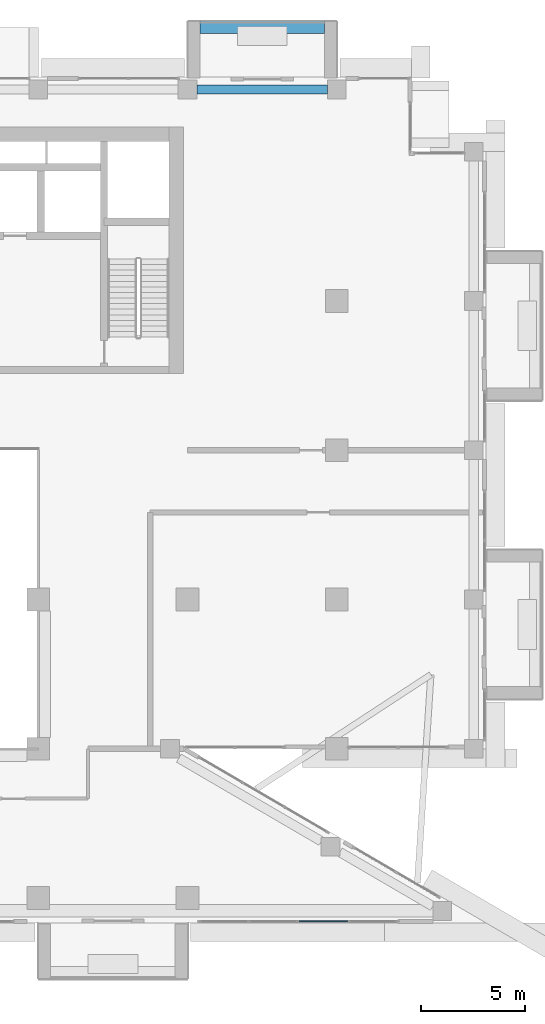
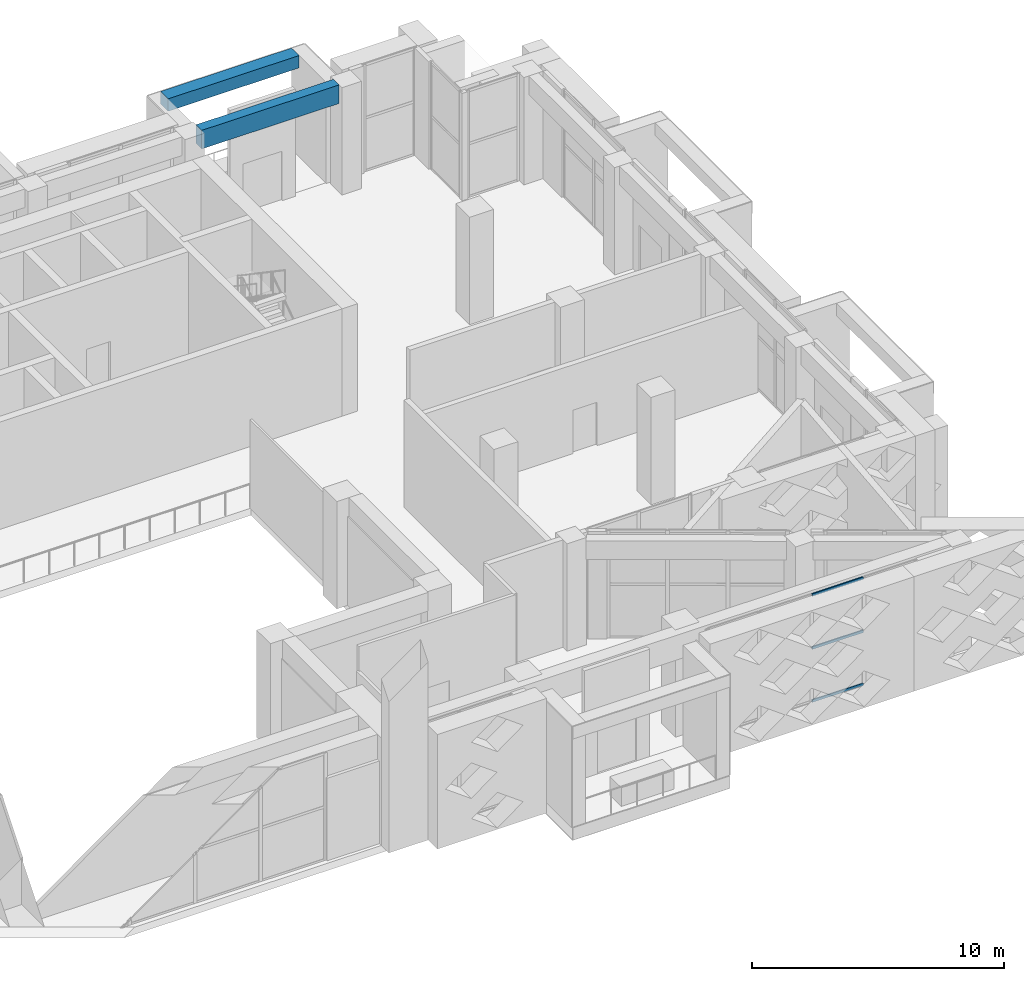
# One storey, part 9 of 25: 3 members, 2 beams, 1 element without a shape of its own.
"""IFC4 building model written with IfcOpenShell, lengths in metres."""

from ifc_helpers import new_model, si_unit, direction, frame, origin, origin_2d, place, context, subcontext, project, spatial, rectangle, extrude, source, transform, mapped, material, layer, layer_set, material_profile, profile_set, type_object, element, aggregate, save


model = new_model("IFC4")

# Units and contexts
model_context = context("Model", 3, precision=1e-05, world=origin(), true_north=direction((0.0, 1.0)))
body_context = subcontext(model_context, "Body", "Model", "MODEL_VIEW")
ifc_project = project(units=[si_unit("LENGTHUNIT", "METRE"), si_unit("AREAUNIT", "SQUARE_METRE"), si_unit("VOLUMEUNIT", "CUBIC_METRE"), si_unit("PLANEANGLEUNIT", "RADIAN"), si_unit("MASSUNIT", "GRAM", prefix="KILO")], contexts=[model_context])

# Site, building, storey
site_placement = place(None, origin())
site = spatial("IfcSite", under=ifc_project, at=site_placement, CompositionType="ELEMENT")
building_placement = place(site_placement, origin())
building = spatial("IfcBuilding", under=site, at=building_placement, Name="Saffron Iwan Residences", CompositionType="ELEMENT")
storey_placement = place(building_placement, frame((0.0, 0.0, 137.5)))
storey = spatial("IfcBuildingStorey", under=building, at=storey_placement, Name="L36", CompositionType="ELEMENT", Elevation=137.5)

# Beams
ifc_material_1 = material(Name="Concrete C50/60", Category="concrete")
ifc_material_profile_1 = material_profile(ifc_material_1, rectangle(XDim=0.449951171875, YDim=0.89990234375, at=origin_2d()), Name="RC 450x900")
ifc_profile_set_1 = profile_set([ifc_material_profile_1], Name="Concrete C50/60")
beam_type_1 = type_object("IfcBeamType", Name="SPANDREL BEAM RC 450x900 C50/60 TOP 5200", PredefinedType="SPANDREL", material=ifc_profile_set_1)
shared_shape_1 = source(origin(), body_context, "Body", "SweptSolid", [
    extrude(rectangle(XDim=0.449951171875, YDim=0.89990234375, at=origin_2d()), origin(), (0.0, 0.0, 1.0), 6.300048828125),
])
beam_1_placement = place(storey_placement, frame((72.449951171875, 79.800048828125, 4.75), z_axis=(1.0, 0.0, 0.0), x_axis=(0.0, 1.0, 0.0)))
element("IfcBeam", 1, at=beam_1_placement, inside=storey, type_object=beam_type_1, Name="Spandrel beam", PredefinedType="SPANDREL", context=body_context, shape_type="MappedRepresentation", body=[
    mapped(shared_shape_1, transform((0.0, 0.0, 0.0))),
])
ifc_material_2 = material(Name="Concrete C50/60 white painted", Category="concrete")
ifc_material_profile_2 = material_profile(ifc_material_2, rectangle(XDim=0.60009765625, YDim=0.60009765625, at=origin_2d()), Name="BALCONY FASCIA BEAM 600 x 600")
ifc_profile_set_2 = profile_set([ifc_material_profile_2], Name="Concrete C50/60 white painted")
beam_type_2 = type_object("IfcBeamType", Name="BALCONY FASCIA BEAM 600 x 600", PredefinedType="BEAM", material=ifc_profile_set_2)
shared_shape_2 = source(origin(), body_context, "Body", "SweptSolid", [
    extrude(rectangle(XDim=0.60009765625, YDim=0.60009765625, at=origin_2d()), origin(), (0.0, 0.0, 1.0), 6.0),
])
beam_2_placement = place(storey_placement, frame((78.60009765625, 82.800048828125, 4.60009765625), z_axis=(-1.0, 0.0, 0.0), x_axis=(0.0, -1.0, 0.0)))
element("IfcBeam", 2, at=beam_2_placement, inside=storey, type_object=beam_type_2, Name="Balcony fascia beam L36 F5-0", PredefinedType="BEAM", context=body_context, shape_type="MappedRepresentation", body=[
    mapped(shared_shape_2, transform((0.0, 0.0, 0.0))),
])

# Curtain wall, members
ifc_material_3 = material(Name="Clear glass, laminated double glazed", Category="glass")
ifc_layer = layer(ifc_material_3, 0.14990234375)
ifc_layer_set = layer_set([ifc_layer], Name="Clear glass, laminated double glazed")
curtain_wall_type = type_object("IfcCurtainWallType", Name="CW-C SKY LOBBY GLAZING", PredefinedType="NOTDEFINED", material=ifc_layer_set)
curtain_wall_placement = place(storey_placement, origin())
curtain_wall = element("IfcCurtainWall", 3, at=curtain_wall_placement, inside=storey, type_object=curtain_wall_type, Name="Glazing L36 F11.8", PredefinedType="NOTDEFINED")
ifc_material_4 = material(Name="Aluminium 6063-T6", Category="aluminium")
ifc_material_profile_3 = material_profile(ifc_material_4, rectangle(XDim=0.06005859375, YDim=0.1201171875, at=origin_2d()), Name="CW-C TRANSOM 60 x 120")
ifc_profile_set_3 = profile_set([ifc_material_profile_3], Name="Aluminium 6063-T6")
member_type = type_object("IfcMemberType", Name="CW-C TRANSOM 60 x 120", PredefinedType="USERDEFINED", material=ifc_profile_set_3)
shared_shape_3 = source(origin(), body_context, "Body", "SweptSolid", [
    extrude(rectangle(XDim=0.06005859375, YDim=0.1201171875, at=origin_2d()), origin(), (0.0, 0.0, 1.0), 2.340087890625),
])
member_1_placement = place(storey_placement, frame((77.3798828125, 39.679931640625, 0.030029296875), z_axis=(1.0, 0.0, 0.0), x_axis=(0.0, 1.0, 0.0)))
member_1 = element("IfcMember", 4, at=member_1_placement, type_object=member_type, Name="CW-C transom 3.1", ObjectType="TRANSOM", PredefinedType="USERDEFINED", context=body_context, shape_type="MappedRepresentation", body=[
    mapped(shared_shape_3, transform((0.0, 0.0, 0.0))),
])
member_2_placement = place(storey_placement, frame((77.3798828125, 39.679931640625, 2.60009765625), z_axis=(1.0, 0.0, 0.0), x_axis=(0.0, 1.0, 0.0)))
member_2 = element("IfcMember", 5, at=member_2_placement, type_object=member_type, Name="CW-C transom 3.2", ObjectType="TRANSOM", PredefinedType="USERDEFINED", context=body_context, shape_type="MappedRepresentation", body=[
    mapped(shared_shape_3, transform((0.0, 0.0, 0.0))),
])
member_3_placement = place(storey_placement, frame((77.3798828125, 39.679931640625, 5.169921875), z_axis=(1.0, 0.0, 0.0), x_axis=(0.0, 1.0, 0.0)))
member_3 = element("IfcMember", 6, at=member_3_placement, type_object=member_type, Name="CW-C transom 3.3", ObjectType="TRANSOM", PredefinedType="USERDEFINED", context=body_context, shape_type="MappedRepresentation", body=[
    mapped(shared_shape_3, transform((0.0, 0.0, 0.0))),
])
aggregate(curtain_wall, [member_1, member_2, member_3])

save(model, "model.ifc")
